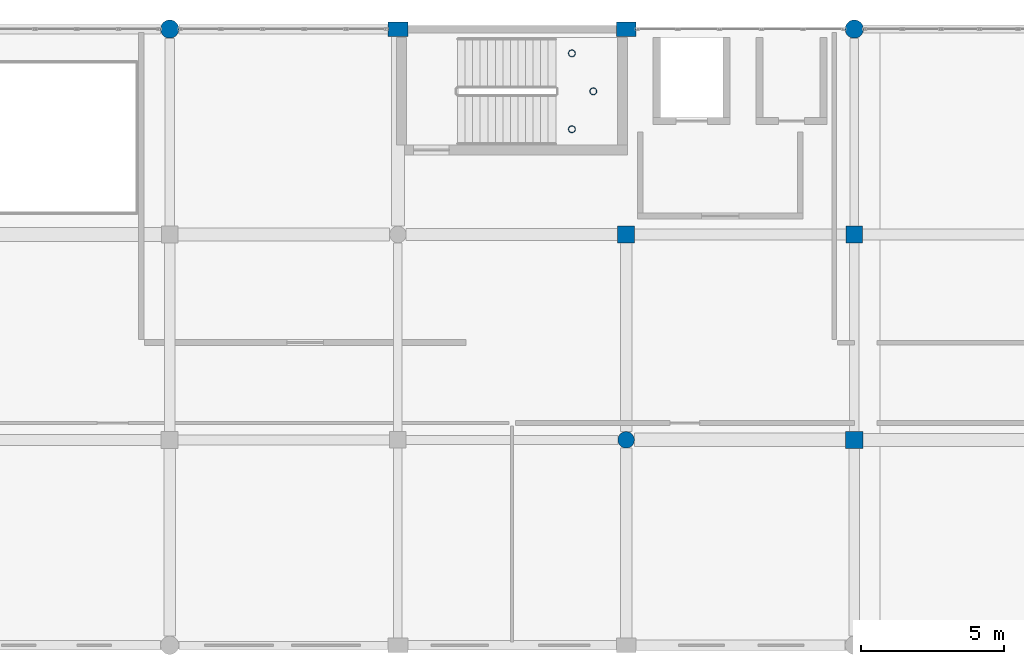
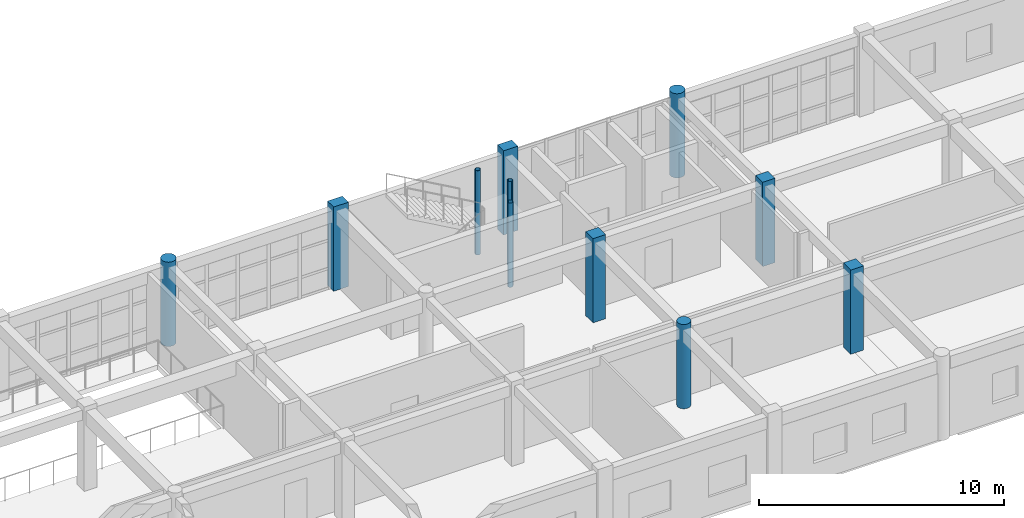
# One storey, part 3 of 53: 11 columns.
"""IFC4 building model written with IfcOpenShell, lengths in metres."""

from ifc_helpers import new_model, si_unit, direction, frame, origin, origin_2d, place, context, subcontext, project, spatial, rectangle, circle, hollow_circle, extrude, material, material_profile, profile_set, type_object, element, save


model = new_model("IFC4")

# Units and contexts
model_context = context("Model", 3, precision=1e-05, world=origin(), true_north=direction((0.0, 1.0)))
body_context = subcontext(model_context, "Body", "Model", "MODEL_VIEW")
ifc_project = project(units=[si_unit("LENGTHUNIT", "METRE"), si_unit("AREAUNIT", "SQUARE_METRE"), si_unit("VOLUMEUNIT", "CUBIC_METRE"), si_unit("PLANEANGLEUNIT", "RADIAN"), si_unit("MASSUNIT", "GRAM", prefix="KILO")], contexts=[model_context])

# Site, building, storey
site_placement = place(None, origin())
site = spatial("IfcSite", under=ifc_project, at=site_placement, CompositionType="ELEMENT")
building_placement = place(site_placement, origin())
building = spatial("IfcBuilding", under=site, at=building_placement, Name="Kharva Crest Polytechnic", CompositionType="ELEMENT")
storey_placement = place(building_placement, frame((0.0, 0.0, 17.39990234375)))
storey = spatial("IfcBuildingStorey", under=building, at=storey_placement, Name="L04", CompositionType="ELEMENT", Elevation=17.39990234375)

# Columns
ifc_material_1 = material(Name="Concrete C40/50", Category="concrete")
ifc_material_profile_1 = material_profile(ifc_material_1, rectangle(XDim=0.679931640625, YDim=0.5, at=origin_2d()), Name="RECT 680 X 500")
ifc_profile_set_1 = profile_set([ifc_material_profile_1], Name="Concrete C40/50")
column_type_1 = type_object("IfcColumnType", Name="COL-EXT-680X500", PredefinedType="COLUMN", material=ifc_profile_set_1)
column_1_placement = place(storey_placement, frame((112.0, 122.0, 0.0), z_axis=(0.0, 0.0, 1.0), x_axis=(1.0, 0.0, 0.0)))
element("IfcColumn", 1, at=column_1_placement, inside=storey, type_object=column_type_1, Name="L04 Column 15/S", PredefinedType="COLUMN", context=body_context, shape_type="SweptSolid", body=[
    extrude(rectangle(XDim=0.679931640625, YDim=0.5, at=origin_2d()), origin(), (0.0, 0.0, 1.0), 4.2001953125),
])
ifc_material_profile_2 = material_profile(ifc_material_1, rectangle(XDim=0.699951171875, YDim=0.5, at=origin_2d()), Name="RECT 700 X 500")
ifc_profile_set_2 = profile_set([ifc_material_profile_2], Name="Concrete C40/50")
column_type_2 = type_object("IfcColumnType", Name="COL-EXT-700X500", PredefinedType="COLUMN", material=ifc_profile_set_2)
column_2_placement = place(storey_placement, frame((104.0, 122.0, 0.0), z_axis=(0.0, 0.0, 1.0), x_axis=(1.0, 0.0, 0.0)))
element("IfcColumn", 2, at=column_2_placement, inside=storey, type_object=column_type_2, Name="L04 Column 14/S", PredefinedType="COLUMN", context=body_context, shape_type="SweptSolid", body=[
    extrude(rectangle(XDim=0.699951171875, YDim=0.5, at=origin_2d()), origin(), (0.0, 0.0, 1.0), 4.2001953125),
])
ifc_material_profile_3 = material_profile(ifc_material_1, circle(Radius=0.320068359375, at=origin_2d()), Name="DIA 640")
ifc_profile_set_3 = profile_set([ifc_material_profile_3], Name="Concrete C40/50")
column_type_3 = type_object("IfcColumnType", Name="COL-EXT-DIA640", PredefinedType="COLUMN", material=ifc_profile_set_3)
for number, where, z_axis, x_axis, name in (
    (3, (96.0, 122.0, 0.0), (0.0, 0.0, 1.0), (1.0, 0.0, 0.0), "L04 Column 13/S"),
    (4, (120.0, 122.0, 0.0), (0.0, 0.0, 1.0), (1.0, 0.0, 0.0), "L04 Column 16/S"),
):
    element("IfcColumn", number, at=place(storey_placement, frame(where, z_axis=z_axis, x_axis=x_axis)), inside=storey, type_object=column_type_3, Name=name, PredefinedType="COLUMN", context=body_context, shape_type="SweptSolid", body=[
        extrude(circle(Radius=0.320068359375, at=origin_2d()), origin(), (0.0, 0.0, 1.0), 4.2001953125),
    ])
ifc_material_profile_4 = material_profile(ifc_material_1, rectangle(XDim=0.580078125, YDim=0.580078125, at=origin_2d()), Name="RECT 580 X 580")
ifc_profile_set_4 = profile_set([ifc_material_profile_4], Name="Concrete C40/50")
column_type_4 = type_object("IfcColumnType", Name="COL-INT-580X580", PredefinedType="COLUMN", material=ifc_profile_set_4)
column_3_placement = place(storey_placement, frame((120.0, 114.800048828125, 0.0), z_axis=(0.0, 0.0, 1.0), x_axis=(1.0, 0.0, 0.0)))
element("IfcColumn", 5, at=column_3_placement, inside=storey, type_object=column_type_4, Name="L04 Column 16/R", PredefinedType="COLUMN", context=body_context, shape_type="SweptSolid", body=[
    extrude(rectangle(XDim=0.580078125, YDim=0.580078125, at=origin_2d()), origin(), (0.0, 0.0, 1.0), 4.2001953125),
])
ifc_material_profile_5 = material_profile(ifc_material_1, rectangle(XDim=0.60009765625, YDim=0.60009765625, at=origin_2d()), Name="RECT 600 X 600")
ifc_profile_set_5 = profile_set([ifc_material_profile_5], Name="Concrete C40/50")
column_type_5 = type_object("IfcColumnType", Name="COL-INT-600X600", PredefinedType="COLUMN", material=ifc_profile_set_5)
for number, where, z_axis, x_axis, name in (
    (6, (112.0, 114.800048828125, 0.0), (0.0, 0.0, 1.0), (1.0, 0.0, 0.0), "L04 Column 15/R"),
    (7, (120.0, 107.60009765625, 0.0), (0.0, 0.0, 1.0), (1.0, 0.0, 0.0), "L04 Column 16/Q"),
):
    element("IfcColumn", number, at=place(storey_placement, frame(where, z_axis=z_axis, x_axis=x_axis)), inside=storey, type_object=column_type_5, Name=name, PredefinedType="COLUMN", context=body_context, shape_type="SweptSolid", body=[
        extrude(rectangle(XDim=0.60009765625, YDim=0.60009765625, at=origin_2d()), origin(), (0.0, 0.0, 1.0), 4.2001953125),
    ])
ifc_material_profile_6 = material_profile(ifc_material_1, circle(Radius=0.2900390625, at=origin_2d()), Name="DIA 580")
ifc_profile_set_6 = profile_set([ifc_material_profile_6], Name="Concrete C40/50")
column_type_6 = type_object("IfcColumnType", Name="COL-INT-DIA580", PredefinedType="COLUMN", material=ifc_profile_set_6)
column_4_placement = place(storey_placement, frame((112.0, 107.60009765625, 0.0), z_axis=(0.0, 0.0, 1.0), x_axis=(1.0, 0.0, 0.0)))
element("IfcColumn", 8, at=column_4_placement, inside=storey, type_object=column_type_6, Name="L04 Column 15/Q", PredefinedType="COLUMN", context=body_context, shape_type="SweptSolid", body=[
    extrude(circle(Radius=0.2900390625, at=origin_2d()), origin(), (0.0, 0.0, 1.0), 4.2001953125),
])
ifc_material_2 = material(Name="Steel S355", Category="steel")
ifc_material_profile_7 = material_profile(ifc_material_2, hollow_circle(Radius=0.122314453125, WallThickness=0.010009765625, at=origin_2d()), Name="CHS 244.5X10.0")
ifc_profile_set_7 = profile_set([ifc_material_profile_7], Name="Steel S355")
column_type_7 = type_object("IfcColumnType", Name="COL-STL-CHS244", PredefinedType="COLUMN", material=ifc_profile_set_7)
for number, where, z_axis, x_axis, name in (
    (9, (110.10009765625, 118.489990234375, 0.0), (0.0, 0.0, 1.0), (1.0, 0.0, 0.0), "L04 Stair ST-04 Landing Support Column SW"),
    (10, (110.10009765625, 121.14990234375, 0.0), (0.0, 0.0, 1.0), (1.0, 0.0, 0.0), "L04 Stair ST-04 Landing Support Column NW"),
    (11, (110.85009765625, 119.820068359375, 0.0), (0.0, 0.0, 1.0), (1.0, 0.0, 0.0), "L04 Stair ST-04 Landing Support Column EM"),
):
    element("IfcColumn", number, at=place(storey_placement, frame(where, z_axis=z_axis, x_axis=x_axis)), inside=storey, type_object=column_type_7, Name=name, PredefinedType="COLUMN", context=body_context, shape_type="SweptSolid", body=[
        extrude(hollow_circle(Radius=0.122314453125, WallThickness=0.010009765625, at=origin_2d()), origin(), (0.0, 0.0, 1.0), 4.2001953125),
    ])

save(model, "model.ifc")
